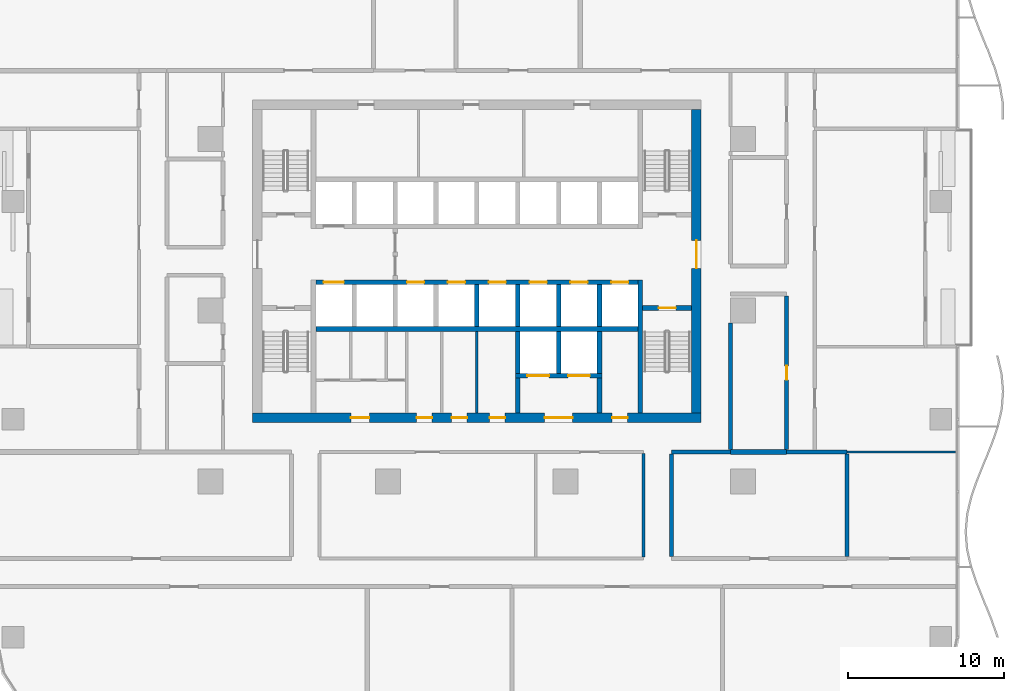
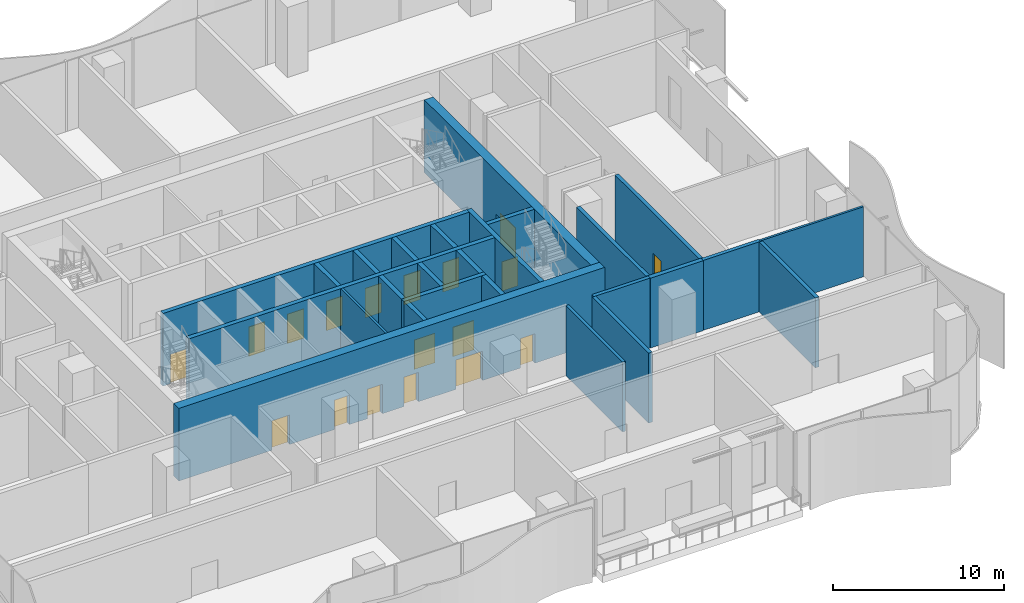
# One storey, part 9 of 21: 26 walls, 18 doors, 18 openings.
"""IFC4 building model written with IfcOpenShell, lengths in metres."""

from ifc_helpers import new_model, si_unit, direction, frame, frame_2d, origin, place, context, subcontext, project, spatial, rectangle, extrude, material, layer, layer_set, type_object, element, fill, save


model = new_model("IFC4")

# Units and contexts
model_context = context("Model", 3, precision=1e-05, world=origin(), true_north=direction((0.0, 1.0)))
body_context = subcontext(model_context, "Body", "Model", "MODEL_VIEW")
ifc_project = project(units=[si_unit("LENGTHUNIT", "METRE"), si_unit("AREAUNIT", "SQUARE_METRE"), si_unit("VOLUMEUNIT", "CUBIC_METRE"), si_unit("PLANEANGLEUNIT", "RADIAN"), si_unit("MASSUNIT", "GRAM", prefix="KILO")], contexts=[model_context])

# Site, building, storey
site_placement = place(None, origin())
site = spatial("IfcSite", under=ifc_project, at=site_placement, CompositionType="ELEMENT")
building_placement = place(site_placement, origin())
building = spatial("IfcBuilding", under=site, at=building_placement, Name="Mopane Tessera Tower", CompositionType="ELEMENT")
storey_placement = place(building_placement, frame((0.0, 0.0, 20.0)))
storey = spatial("IfcBuildingStorey", under=building, at=storey_placement, Name="L03", CompositionType="ELEMENT", Elevation=20.0)

# Wall
ifc_material_1 = material(Name="Fire-rated gypsum board partition")
ifc_layer_1 = layer(ifc_material_1, 0.14990234375)
ifc_layer_set_1 = layer_set([ifc_layer_1], Name="Fire-rated gypsum board partition")
wall_type_1 = type_object("IfcWallType", Name="Core room partition 150 mm", PredefinedType="PARTITIONING", material=ifc_layer_set_1)
wall_1_placement = place(storey_placement, frame((0.0, -6.60009765625, 0.0), z_axis=(0.0, 0.0, 1.0), x_axis=(0.0, 1.0, 0.0)))
element("IfcWall", 1, at=wall_1_placement, inside=storey, type_object=wall_type_1, Name="L03 Room partition", PredefinedType="PARTITIONING", context=body_context, shape_type="SweptSolid", body=[
    extrude(rectangle(XDim=5.25, YDim=0.14990234375, at=frame_2d((2.625, 0.0))), origin(), (0.0, 0.0, 1.0), 5.199951171875),
])

# Wall, openings, doors
ifc_material_2 = material(Name="Concrete C70/85", Category="concrete")
ifc_layer_2 = layer(ifc_material_2, 0.60009765625)
ifc_layer_set_2 = layer_set([ifc_layer_2], Name="Concrete C70/85")
wall_type_2 = type_object("IfcWallType", Name="Core shear wall 600 mm", PredefinedType="SHEAR", material=ifc_layer_set_2)
wall_2_placement = place(storey_placement, frame((-14.39990234375, -6.89990234375, 0.0), z_axis=(0.0, 0.0, 1.0), x_axis=(1.0, 0.0, 0.0)))
wall_2 = element("IfcWall", 2, at=wall_2_placement, inside=storey, type_object=wall_type_2, Name="L03 Core wall south", PredefinedType="SHEAR", context=body_context, shape_type="SweptSolid", body=[
    extrude(rectangle(XDim=28.7998046875, YDim=0.60009765625, at=frame_2d((14.39990234375, 0.0))), origin(), (0.0, 0.0, 1.0), 5.199951171875),
])
opening_1_placement = place(wall_2_placement, frame((6.300048828125, 0.0, 0.0)))
opening_1 = element("IfcOpeningElement", 3, at=opening_1_placement, cuts=wall_2, Name="Opening WD3", PredefinedType="OPENING", context=body_context, shape_type="SweptSolid", body=[
    extrude(rectangle(XDim=1.199951171875, YDim=2.10009765625, at=frame_2d((0.60009765625, 1.050048828125))), frame((0.0, 0.31201171875, 0.0), z_axis=(0.0, -1.0, 0.0), x_axis=(1.0, 0.0, 0.0)), (0.0, 0.0, 1.0), 0.6240234375),
])
opening_2_placement = place(wall_2_placement, frame((10.52490234375, 0.0, 0.0)))
opening_2 = element("IfcOpeningElement", 4, at=opening_2_placement, cuts=wall_2, Name="Opening RD1", PredefinedType="OPENING", context=body_context, shape_type="SweptSolid", body=[
    extrude(rectangle(XDim=1.0, YDim=2.10009765625, at=frame_2d((0.5, 1.050048828125))), frame((0.0, 0.31201171875, 0.0), z_axis=(0.0, -1.0, 0.0), x_axis=(1.0, 0.0, 0.0)), (0.0, 0.0, 1.0), 0.6240234375),
])
opening_3_placement = place(wall_2_placement, frame((12.77490234375, 0.0, 0.0)))
opening_3 = element("IfcOpeningElement", 5, at=opening_3_placement, cuts=wall_2, Name="Opening RD1", PredefinedType="OPENING", context=body_context, shape_type="SweptSolid", body=[
    extrude(rectangle(XDim=1.0, YDim=2.10009765625, at=frame_2d((0.5, 1.050048828125))), frame((0.0, 0.31201171875, 0.0), z_axis=(0.0, -1.0, 0.0), x_axis=(1.0, 0.0, 0.0)), (0.0, 0.0, 1.0), 0.6240234375),
])
opening_4_placement = place(wall_2_placement, frame((15.21240234375, 0.0, 0.0)))
opening_4 = element("IfcOpeningElement", 6, at=opening_4_placement, cuts=wall_2, Name="Opening RD1", PredefinedType="OPENING", context=body_context, shape_type="SweptSolid", body=[
    extrude(rectangle(XDim=1.0, YDim=2.10009765625, at=frame_2d((0.5, 1.050048828125))), frame((0.0, 0.31201171875, 0.0), z_axis=(0.0, -1.0, 0.0), x_axis=(1.0, 0.0, 0.0)), (0.0, 0.0, 1.0), 0.6240234375),
])
opening_5_placement = place(wall_2_placement, frame((18.75, 0.0, 0.0)))
opening_5 = element("IfcOpeningElement", 7, at=opening_5_placement, cuts=wall_2, Name="Opening SD2", PredefinedType="OPENING", context=body_context, shape_type="SweptSolid", body=[
    extrude(rectangle(XDim=1.800048828125, YDim=2.10009765625, at=frame_2d((0.89990234375, 1.050048828125))), frame((0.0, 0.31201171875, 0.0), z_axis=(0.0, -1.0, 0.0), x_axis=(1.0, 0.0, 0.0)), (0.0, 0.0, 1.0), 0.6240234375),
])
opening_6_placement = place(wall_2_placement, frame((23.08740234375, 0.0, 0.0)))
opening_6 = element("IfcOpeningElement", 8, at=opening_6_placement, cuts=wall_2, Name="Opening RD1", PredefinedType="OPENING", context=body_context, shape_type="SweptSolid", body=[
    extrude(rectangle(XDim=1.0, YDim=2.10009765625, at=frame_2d((0.5, 1.050048828125))), frame((0.0, 0.31201171875, 0.0), z_axis=(0.0, -1.0, 0.0), x_axis=(1.0, 0.0, 0.0)), (0.0, 0.0, 1.0), 0.6240234375),
])
ifc_material_3 = material(Name="Steel fire door", Category="steel")
door_type_1 = type_object("IfcDoorType", Name="Core entrance double door 1800 x 2100", OperationType="DOUBLE_DOOR_SINGLE_SWING", PredefinedType="DOOR", material=ifc_material_3)
door_1_placement = place(opening_5_placement, origin())
door_1 = element("IfcDoor", 9, at=door_1_placement, inside=storey, type_object=door_type_1, Name="L03 Service lobby door", OperationType="DOUBLE_DOOR_SINGLE_SWING", OverallHeight=2.10009765625, OverallWidth=1.800048828125, PredefinedType="DOOR", context=body_context, shape_type="SweptSolid", body=[
    extrude(rectangle(XDim=1.800048828125, YDim=2.10009765625, at=frame_2d((0.89990234375, 1.050048828125))), frame((0.0, 0.02490234375, 0.0), z_axis=(0.0, -1.0, 0.0), x_axis=(1.0, 0.0, 0.0)), (0.0, 0.0, 1.0), 0.050048828125),
])
fill(opening_5, door_1)
ifc_material_4 = material(Name="Timber door", Category="wood")
door_type_2 = type_object("IfcDoorType", Name="Core room door 1000 x 2100", OperationType="SINGLE_SWING_LEFT", PredefinedType="DOOR", material=ifc_material_4)
door_2_placement = place(opening_2_placement, origin())
door_2 = element("IfcDoor", 10, at=door_2_placement, inside=storey, type_object=door_type_2, Name="L03 Room door", OperationType="SINGLE_SWING_LEFT", OverallHeight=2.10009765625, OverallWidth=1.0, PredefinedType="DOOR", context=body_context, shape_type="SweptSolid", body=[
    extrude(rectangle(XDim=1.0, YDim=2.10009765625, at=frame_2d((0.5, 1.050048828125))), frame((0.0, 0.02490234375, 0.0), z_axis=(0.0, -1.0, 0.0), x_axis=(1.0, 0.0, 0.0)), (0.0, 0.0, 1.0), 0.050048828125),
])
fill(opening_2, door_2)
door_3_placement = place(opening_3_placement, origin())
door_3 = element("IfcDoor", 11, at=door_3_placement, inside=storey, type_object=door_type_2, Name="L03 Room door", OperationType="SINGLE_SWING_LEFT", OverallHeight=2.10009765625, OverallWidth=1.0, PredefinedType="DOOR", context=body_context, shape_type="SweptSolid", body=[
    extrude(rectangle(XDim=1.0, YDim=2.10009765625, at=frame_2d((0.5, 1.050048828125))), frame((0.0, 0.02490234375, 0.0), z_axis=(0.0, -1.0, 0.0), x_axis=(1.0, 0.0, 0.0)), (0.0, 0.0, 1.0), 0.050048828125),
])
fill(opening_3, door_3)
door_4_placement = place(opening_4_placement, origin())
door_4 = element("IfcDoor", 12, at=door_4_placement, inside=storey, type_object=door_type_2, Name="L03 Room door", OperationType="SINGLE_SWING_LEFT", OverallHeight=2.10009765625, OverallWidth=1.0, PredefinedType="DOOR", context=body_context, shape_type="SweptSolid", body=[
    extrude(rectangle(XDim=1.0, YDim=2.10009765625, at=frame_2d((0.5, 1.050048828125))), frame((0.0, 0.02490234375, 0.0), z_axis=(0.0, -1.0, 0.0), x_axis=(1.0, 0.0, 0.0)), (0.0, 0.0, 1.0), 0.050048828125),
])
fill(opening_4, door_4)
door_5_placement = place(opening_6_placement, origin())
door_5 = element("IfcDoor", 13, at=door_5_placement, inside=storey, type_object=door_type_2, Name="L03 Room door", OperationType="SINGLE_SWING_LEFT", OverallHeight=2.10009765625, OverallWidth=1.0, PredefinedType="DOOR", context=body_context, shape_type="SweptSolid", body=[
    extrude(rectangle(XDim=1.0, YDim=2.10009765625, at=frame_2d((0.5, 1.050048828125))), frame((0.0, 0.02490234375, 0.0), z_axis=(0.0, -1.0, 0.0), x_axis=(1.0, 0.0, 0.0)), (0.0, 0.0, 1.0), 0.050048828125),
])
fill(opening_6, door_5)
ifc_material_5 = material(Name="Timber door", Category="wood")
door_type_3 = type_object("IfcDoorType", Name="WC lobby door 1200 x 2100", OperationType="SINGLE_SWING_LEFT", PredefinedType="DOOR", material=ifc_material_5)
door_6_placement = place(opening_1_placement, origin())
door_6 = element("IfcDoor", 14, at=door_6_placement, inside=storey, type_object=door_type_3, Name="L03 WC lobby door", OperationType="SINGLE_SWING_LEFT", OverallHeight=2.10009765625, OverallWidth=1.199951171875, PredefinedType="DOOR", context=body_context, shape_type="SweptSolid", body=[
    extrude(rectangle(XDim=1.199951171875, YDim=2.10009765625, at=frame_2d((0.60009765625, 1.050048828125))), frame((0.0, 0.02490234375, 0.0), z_axis=(0.0, -1.0, 0.0), x_axis=(1.0, 0.0, 0.0)), (0.0, 0.0, 1.0), 0.050048828125),
])
fill(opening_1, door_6)

# Wall, opening, door
wall_3_placement = place(storey_placement, frame((14.10009765625, -6.60009765625, 0.0), z_axis=(0.0, 0.0, 1.0), x_axis=(0.0, 1.0, 0.0)))
wall_3 = element("IfcWall", 15, at=wall_3_placement, inside=storey, type_object=wall_type_2, Name="L03 Core wall east", PredefinedType="SHEAR", context=body_context, shape_type="SweptSolid", body=[
    extrude(rectangle(XDim=19.5, YDim=0.60009765625, at=frame_2d((9.75, 0.0))), origin(), (0.0, 0.0, 1.0), 5.199951171875),
])
opening_7_placement = place(wall_3_placement, frame((9.300048828125, 0.0, 0.0)))
opening_7 = element("IfcOpeningElement", 16, at=opening_7_placement, cuts=wall_3, Name="Opening SD2", PredefinedType="OPENING", context=body_context, shape_type="SweptSolid", body=[
    extrude(rectangle(XDim=1.800048828125, YDim=2.10009765625, at=frame_2d((0.89990234375, 1.050048828125))), frame((0.0, 0.31201171875, 0.0), z_axis=(0.0, -1.0, 0.0), x_axis=(1.0, 0.0, 0.0)), (0.0, 0.0, 1.0), 0.6240234375),
])
door_7_placement = place(opening_7_placement, origin())
door_7 = element("IfcDoor", 17, at=door_7_placement, inside=storey, type_object=door_type_1, Name="L03 Core entrance door east", OperationType="DOUBLE_DOOR_SINGLE_SWING", OverallHeight=2.10009765625, OverallWidth=1.800048828125, PredefinedType="DOOR", context=body_context, shape_type="SweptSolid", body=[
    extrude(rectangle(XDim=1.800048828125, YDim=2.10009765625, at=frame_2d((0.89990234375, 1.050048828125))), frame((0.0, 0.02490234375, 0.0), z_axis=(0.0, -1.0, 0.0), x_axis=(1.0, 0.0, 0.0)), (0.0, 0.0, 1.0), 0.050048828125),
])
fill(opening_7, door_7)

# Walls
ifc_material_6 = material(Name="Concrete C60/75", Category="concrete")
ifc_layer_3 = layer(ifc_material_6, 0.300048828125)
ifc_layer_set_3 = layer_set([ifc_layer_3], Name="Concrete C60/75")
wall_type_3 = type_object("IfcWallType", Name="Core spine wall 300 mm", PredefinedType="SHEAR", material=ifc_layer_set_3)
wall_4_placement = place(storey_placement, frame((10.5, -6.60009765625, 0.0), z_axis=(0.0, 0.0, 1.0), x_axis=(0.0, 1.0, 0.0)))
element("IfcWall", 18, at=wall_4_placement, inside=storey, type_object=wall_type_3, Name="L03 Core spine wall", PredefinedType="SHEAR", context=body_context, shape_type="SweptSolid", body=[
    extrude(rectangle(XDim=8.550048828125, YDim=0.300048828125, at=frame_2d((4.27490234375, 0.0))), origin(), (0.0, 0.0, 1.0), 5.199951171875),
])
ifc_material_7 = material(Name="Gypsum board on steel studs, two layers each face, mineral wool infill", Category="steel")
ifc_layer_4 = layer(ifc_material_7, 0.199951171875)
ifc_layer_set_4 = layer_set([ifc_layer_4], Name="Gypsum board on steel studs, two layers each face, mineral wool infill")
wall_type_4 = type_object("IfcWallType", Name="Gypsum board corridor wall 200, rated EI 60", PredefinedType="PARTITIONING", material=ifc_layer_set_4)
wall_5_placement = place(storey_placement, frame((10.7099609375, -15.85009765625, 0.0), z_axis=(0.0, 0.0, 1.0), x_axis=(0.0, 1.0, 0.0)))
element("IfcWall", 19, at=wall_5_placement, inside=storey, type_object=wall_type_4, Name="Partition L03:052", PredefinedType="PARTITIONING", context=body_context, shape_type="SweptSolid", body=[
    extrude(rectangle(XDim=6.650146484375, YDim=0.199951171875, at=frame_2d((3.3251953125, 0.0))), origin(), (0.0, 0.0, 1.0), 5.0),
])
ifc_material_8 = material(Name="Gypsum board on steel studs, mineral wool infill", Category="steel")
ifc_layer_5 = layer(ifc_material_8, 0.14990234375)
ifc_layer_set_5 = layer_set([ifc_layer_5], Name="Gypsum board on steel studs, mineral wool infill")
wall_type_5 = type_object("IfcWallType", Name="Gypsum board partition 150, rated EI 60", PredefinedType="PARTITIONING", material=ifc_layer_set_5)
wall_6_placement = place(storey_placement, frame((23.784912109375, -9.10009765625, 0.0), z_axis=(0.0, 0.0, 1.0), x_axis=(1.0, 0.0, 0.0)))
element("IfcWall", 20, at=wall_6_placement, inside=storey, type_object=wall_type_5, Name="Partition L03:007", PredefinedType="PARTITIONING", context=body_context, shape_type="SweptSolid", body=[
    extrude(rectangle(XDim=6.965087890625, YDim=0.14990234375, at=frame_2d((3.482421875, 0.0))), origin(), (0.0, 0.0, 1.0), 5.0),
])

# Wall, opening, door
ifc_material_9 = material(Name="Concrete C50/60", Category="concrete")
ifc_layer_6 = layer(ifc_material_9, 0.300048828125)
ifc_layer_set_6 = layer_set([ifc_layer_6], Name="Concrete C50/60")
wall_type_6 = type_object("IfcWallType", Name="Lift and stair shaft wall 300 mm", PredefinedType="SOLIDWALL", material=ifc_layer_set_6)
wall_7_placement = place(storey_placement, frame((10.64990234375, 0.14990234375, 0.0), z_axis=(0.0, 0.0, 1.0), x_axis=(1.0, 0.0, 0.0)))
wall_7 = element("IfcWall", 21, at=wall_7_placement, inside=storey, type_object=wall_type_6, Name="L03 Stair enclosure wall", PredefinedType="SOLIDWALL", context=body_context, shape_type="SweptSolid", body=[
    extrude(rectangle(XDim=3.150146484375, YDim=0.300048828125, at=frame_2d((1.5751953125, 0.0))), origin(), (0.0, 0.0, 1.0), 5.199951171875),
])
opening_8_placement = place(wall_7_placement, frame((1.02490234375, 0.0, 0.0)))
opening_8 = element("IfcOpeningElement", 22, at=opening_8_placement, cuts=wall_7, Name="Opening SD1", PredefinedType="OPENING", context=body_context, shape_type="SweptSolid", body=[
    extrude(rectangle(XDim=1.10009765625, YDim=2.10009765625, at=frame_2d((0.550048828125, 1.050048828125))), frame((0.0, 0.162109375, 0.0), z_axis=(0.0, -1.0, 0.0), x_axis=(1.0, 0.0, 0.0)), (0.0, 0.0, 1.0), 0.323974609375),
])
ifc_material_10 = material(Name="Steel fire door", Category="steel")
door_type_4 = type_object("IfcDoorType", Name="Stair fire door 1100 x 2100", OperationType="SINGLE_SWING_LEFT", PredefinedType="DOOR", material=ifc_material_10)
door_8_placement = place(opening_8_placement, origin())
door_8 = element("IfcDoor", 23, at=door_8_placement, inside=storey, type_object=door_type_4, Name="L03 Stair door ST3", OperationType="SINGLE_SWING_RIGHT", OverallHeight=2.10009765625, OverallWidth=1.10009765625, PredefinedType="DOOR", context=body_context, shape_type="SweptSolid", body=[
    extrude(rectangle(XDim=1.10009765625, YDim=2.10009765625, at=frame_2d((0.550048828125, 1.050048828125))), frame((0.0, 0.02490234375, 0.0), z_axis=(0.0, -1.0, 0.0), x_axis=(1.0, 0.0, 0.0)), (0.0, 0.0, 1.0), 0.050048828125),
])
fill(opening_8, door_8)

# Wall
wall_8_placement = place(storey_placement, frame((-10.35009765625, -1.199951171875, 0.0), z_axis=(0.0, 0.0, 1.0), x_axis=(1.0, 0.0, 0.0)))
element("IfcWall", 24, at=wall_8_placement, inside=storey, type_object=wall_type_6, Name="L03 Lift shaft rear wall", PredefinedType="SOLIDWALL", context=body_context, shape_type="SweptSolid", body=[
    extrude(rectangle(XDim=20.7001953125, YDim=0.300048828125, at=frame_2d((10.35009765625, 0.0))), origin(), (0.0, 0.0, 1.0), 5.199951171875),
])

# Wall, openings, doors
wall_9_placement = place(storey_placement, frame((-10.35009765625, 1.800048828125, 0.0), z_axis=(0.0, 0.0, 1.0), x_axis=(1.0, 0.0, 0.0)))
wall_9 = element("IfcWall", 25, at=wall_9_placement, inside=storey, type_object=wall_type_6, Name="L03 Lift shaft front wall", PredefinedType="SOLIDWALL", context=body_context, shape_type="SweptSolid", body=[
    extrude(rectangle(XDim=20.7001953125, YDim=0.300048828125, at=frame_2d((10.35009765625, 0.0))), origin(), (0.0, 0.0, 1.0), 5.199951171875),
])
opening_9_placement = place(wall_9_placement, frame((0.512451171875, 0.0, 0.0)))
opening_9 = element("IfcOpeningElement", 26, at=opening_9_placement, cuts=wall_9, Name="Opening LD2", PredefinedType="OPENING", context=body_context, shape_type="SweptSolid", body=[
    extrude(rectangle(XDim=1.300048828125, YDim=2.10009765625, at=frame_2d((0.64990234375, 1.050048828125))), frame((0.0, 0.162109375, 0.0), z_axis=(0.0, -1.0, 0.0), x_axis=(1.0, 0.0, 0.0)), (0.0, 0.0, 1.0), 0.323974609375),
])
opening_10_placement = place(wall_9_placement, frame((5.862548828125, 0.0, 0.0)))
opening_10 = element("IfcOpeningElement", 27, at=opening_10_placement, cuts=wall_9, Name="Opening LD", PredefinedType="OPENING", context=body_context, shape_type="SweptSolid", body=[
    extrude(rectangle(XDim=1.10009765625, YDim=2.10009765625, at=frame_2d((0.550048828125, 1.050048828125))), frame((0.0, 0.162109375, 0.0), z_axis=(0.0, -1.0, 0.0), x_axis=(1.0, 0.0, 0.0)), (0.0, 0.0, 1.0), 0.323974609375),
])
opening_11_placement = place(wall_9_placement, frame((8.487548828125, 0.0, 0.0)))
opening_11 = element("IfcOpeningElement", 28, at=opening_11_placement, cuts=wall_9, Name="Opening LD", PredefinedType="OPENING", context=body_context, shape_type="SweptSolid", body=[
    extrude(rectangle(XDim=1.10009765625, YDim=2.10009765625, at=frame_2d((0.550048828125, 1.050048828125))), frame((0.0, 0.162109375, 0.0), z_axis=(0.0, -1.0, 0.0), x_axis=(1.0, 0.0, 0.0)), (0.0, 0.0, 1.0), 0.323974609375),
])
opening_12_placement = place(wall_9_placement, frame((11.112548828125, 0.0, 0.0)))
opening_12 = element("IfcOpeningElement", 29, at=opening_12_placement, cuts=wall_9, Name="Opening LD", PredefinedType="OPENING", context=body_context, shape_type="SweptSolid", body=[
    extrude(rectangle(XDim=1.10009765625, YDim=2.10009765625, at=frame_2d((0.550048828125, 1.050048828125))), frame((0.0, 0.162109375, 0.0), z_axis=(0.0, -1.0, 0.0), x_axis=(1.0, 0.0, 0.0)), (0.0, 0.0, 1.0), 0.323974609375),
])
opening_13_placement = place(wall_9_placement, frame((13.737548828125, 0.0, 0.0)))
opening_13 = element("IfcOpeningElement", 30, at=opening_13_placement, cuts=wall_9, Name="Opening LD", PredefinedType="OPENING", context=body_context, shape_type="SweptSolid", body=[
    extrude(rectangle(XDim=1.10009765625, YDim=2.10009765625, at=frame_2d((0.550048828125, 1.050048828125))), frame((0.0, 0.162109375, 0.0), z_axis=(0.0, -1.0, 0.0), x_axis=(1.0, 0.0, 0.0)), (0.0, 0.0, 1.0), 0.323974609375),
])
opening_14_placement = place(wall_9_placement, frame((16.362548828125, 0.0, 0.0)))
opening_14 = element("IfcOpeningElement", 31, at=opening_14_placement, cuts=wall_9, Name="Opening LD", PredefinedType="OPENING", context=body_context, shape_type="SweptSolid", body=[
    extrude(rectangle(XDim=1.10009765625, YDim=2.10009765625, at=frame_2d((0.550048828125, 1.050048828125))), frame((0.0, 0.162109375, 0.0), z_axis=(0.0, -1.0, 0.0), x_axis=(1.0, 0.0, 0.0)), (0.0, 0.0, 1.0), 0.323974609375),
])
opening_15_placement = place(wall_9_placement, frame((18.987548828125, 0.0, 0.0)))
opening_15 = element("IfcOpeningElement", 32, at=opening_15_placement, cuts=wall_9, Name="Opening LD", PredefinedType="OPENING", context=body_context, shape_type="SweptSolid", body=[
    extrude(rectangle(XDim=1.10009765625, YDim=2.10009765625, at=frame_2d((0.550048828125, 1.050048828125))), frame((0.0, 0.162109375, 0.0), z_axis=(0.0, -1.0, 0.0), x_axis=(1.0, 0.0, 0.0)), (0.0, 0.0, 1.0), 0.323974609375),
])
ifc_material_11 = material(Name="Stainless steel sliding door", Category="steel")
door_type_5 = type_object("IfcDoorType", Name="Fire-fighting lift landing door 1300 x 2100", OperationType="DOUBLE_DOOR_SLIDING", PredefinedType="DOOR", material=ifc_material_11)
door_9_placement = place(opening_9_placement, origin())
door_9 = element("IfcDoor", 33, at=door_9_placement, inside=storey, type_object=door_type_5, Name="L03 Lift landing door FF1", OperationType="DOUBLE_DOOR_SLIDING", OverallHeight=2.10009765625, OverallWidth=1.300048828125, PredefinedType="DOOR", context=body_context, shape_type="SweptSolid", body=[
    extrude(rectangle(XDim=1.300048828125, YDim=2.10009765625, at=frame_2d((0.64990234375, 1.050048828125))), frame((0.0, 0.02490234375, 0.0), z_axis=(0.0, -1.0, 0.0), x_axis=(1.0, 0.0, 0.0)), (0.0, 0.0, 1.0), 0.050048828125),
])
fill(opening_9, door_9)
ifc_material_12 = material(Name="Stainless steel sliding door", Category="steel")
door_type_6 = type_object("IfcDoorType", Name="Lift landing door 1100 x 2100", OperationType="DOUBLE_DOOR_SLIDING", PredefinedType="DOOR", material=ifc_material_12)
door_10_placement = place(opening_10_placement, origin())
door_10 = element("IfcDoor", 34, at=door_10_placement, inside=storey, type_object=door_type_6, Name="L03 Lift landing door LR1", OperationType="DOUBLE_DOOR_SLIDING", OverallHeight=2.10009765625, OverallWidth=1.10009765625, PredefinedType="DOOR", context=body_context, shape_type="SweptSolid", body=[
    extrude(rectangle(XDim=1.10009765625, YDim=2.10009765625, at=frame_2d((0.550048828125, 1.050048828125))), frame((0.0, 0.02490234375, 0.0), z_axis=(0.0, -1.0, 0.0), x_axis=(1.0, 0.0, 0.0)), (0.0, 0.0, 1.0), 0.050048828125),
])
fill(opening_10, door_10)
door_11_placement = place(opening_11_placement, origin())
door_11 = element("IfcDoor", 35, at=door_11_placement, inside=storey, type_object=door_type_6, Name="L03 Lift landing door LR2", OperationType="DOUBLE_DOOR_SLIDING", OverallHeight=2.10009765625, OverallWidth=1.10009765625, PredefinedType="DOOR", context=body_context, shape_type="SweptSolid", body=[
    extrude(rectangle(XDim=1.10009765625, YDim=2.10009765625, at=frame_2d((0.550048828125, 1.050048828125))), frame((0.0, 0.02490234375, 0.0), z_axis=(0.0, -1.0, 0.0), x_axis=(1.0, 0.0, 0.0)), (0.0, 0.0, 1.0), 0.050048828125),
])
fill(opening_11, door_11)
door_12_placement = place(opening_12_placement, origin())
door_12 = element("IfcDoor", 36, at=door_12_placement, inside=storey, type_object=door_type_6, Name="L03 Lift landing door LR3", OperationType="DOUBLE_DOOR_SLIDING", OverallHeight=2.10009765625, OverallWidth=1.10009765625, PredefinedType="DOOR", context=body_context, shape_type="SweptSolid", body=[
    extrude(rectangle(XDim=1.10009765625, YDim=2.10009765625, at=frame_2d((0.550048828125, 1.050048828125))), frame((0.0, 0.02490234375, 0.0), z_axis=(0.0, -1.0, 0.0), x_axis=(1.0, 0.0, 0.0)), (0.0, 0.0, 1.0), 0.050048828125),
])
fill(opening_12, door_12)
door_13_placement = place(opening_13_placement, origin())
door_13 = element("IfcDoor", 37, at=door_13_placement, inside=storey, type_object=door_type_6, Name="L03 Lift landing door LR4", OperationType="DOUBLE_DOOR_SLIDING", OverallHeight=2.10009765625, OverallWidth=1.10009765625, PredefinedType="DOOR", context=body_context, shape_type="SweptSolid", body=[
    extrude(rectangle(XDim=1.10009765625, YDim=2.10009765625, at=frame_2d((0.550048828125, 1.050048828125))), frame((0.0, 0.02490234375, 0.0), z_axis=(0.0, -1.0, 0.0), x_axis=(1.0, 0.0, 0.0)), (0.0, 0.0, 1.0), 0.050048828125),
])
fill(opening_13, door_13)
door_14_placement = place(opening_14_placement, origin())
door_14 = element("IfcDoor", 38, at=door_14_placement, inside=storey, type_object=door_type_6, Name="L03 Lift landing door LR5", OperationType="DOUBLE_DOOR_SLIDING", OverallHeight=2.10009765625, OverallWidth=1.10009765625, PredefinedType="DOOR", context=body_context, shape_type="SweptSolid", body=[
    extrude(rectangle(XDim=1.10009765625, YDim=2.10009765625, at=frame_2d((0.550048828125, 1.050048828125))), frame((0.0, 0.02490234375, 0.0), z_axis=(0.0, -1.0, 0.0), x_axis=(1.0, 0.0, 0.0)), (0.0, 0.0, 1.0), 0.050048828125),
])
fill(opening_14, door_14)
door_15_placement = place(opening_15_placement, origin())
door_15 = element("IfcDoor", 39, at=door_15_placement, inside=storey, type_object=door_type_6, Name="L03 Lift landing door LR6", OperationType="DOUBLE_DOOR_SLIDING", OverallHeight=2.10009765625, OverallWidth=1.10009765625, PredefinedType="DOOR", context=body_context, shape_type="SweptSolid", body=[
    extrude(rectangle(XDim=1.10009765625, YDim=2.10009765625, at=frame_2d((0.550048828125, 1.050048828125))), frame((0.0, 0.02490234375, 0.0), z_axis=(0.0, -1.0, 0.0), x_axis=(1.0, 0.0, 0.0)), (0.0, 0.0, 1.0), 0.050048828125),
])
fill(opening_15, door_15)

# Walls
for number, where, z_axis, x_axis, name in (
    (40, (0.0, -1.050048828125, 0.0), (0.0, 0.0, 1.0), (0.0, 1.0, 0.0), "L03 Lift shaft wall"),
    (41, (2.625, -1.050048828125, 0.0), (0.0, 0.0, 1.0), (0.0, 1.0, 0.0), "L03 Lift shaft wall"),
    (42, (5.25, -1.050048828125, 0.0), (0.0, 0.0, 1.0), (0.0, 1.0, 0.0), "L03 Lift shaft wall"),
    (43, (7.875, -1.050048828125, 0.0), (0.0, 0.0, 1.0), (0.0, 1.0, 0.0), "L03 Lift shaft wall"),
):
    element("IfcWall", number, at=place(storey_placement, frame(where, z_axis=z_axis, x_axis=x_axis)), inside=storey, type_object=wall_type_6, Name=name, PredefinedType="SOLIDWALL", context=body_context, shape_type="SweptSolid", body=[
        extrude(rectangle(XDim=2.699951171875, YDim=0.300048828125, at=frame_2d((1.35009765625, 0.0))), origin(), (0.0, 0.0, 1.0), 5.199951171875),
    ])

# Wall, openings, doors
wall_10_placement = place(storey_placement, frame((2.47509765625, -4.199951171875, 0.0), z_axis=(0.0, 0.0, 1.0), x_axis=(1.0, 0.0, 0.0)))
wall_10 = element("IfcWall", 44, at=wall_10_placement, inside=storey, type_object=wall_type_6, Name="L03 Lift shaft front wall", PredefinedType="SOLIDWALL", context=body_context, shape_type="SweptSolid", body=[
    extrude(rectangle(XDim=5.5498046875, YDim=0.300048828125, at=frame_2d((2.77490234375, 0.0))), origin(), (0.0, 0.0, 1.0), 5.199951171875),
])
opening_16_placement = place(wall_10_placement, frame((0.762451171875, 0.0, 0.0)))
opening_16 = element("IfcOpeningElement", 45, at=opening_16_placement, cuts=wall_10, Name="Opening LD3", PredefinedType="OPENING", context=body_context, shape_type="SweptSolid", body=[
    extrude(rectangle(XDim=1.39990234375, YDim=2.10009765625, at=frame_2d((0.699951171875, 1.050048828125))), frame((0.0, 0.162109375, 0.0), z_axis=(0.0, -1.0, 0.0), x_axis=(1.0, 0.0, 0.0)), (0.0, 0.0, 1.0), 0.323974609375),
])
opening_17_placement = place(wall_10_placement, frame((3.387451171875, 0.0, 0.0)))
opening_17 = element("IfcOpeningElement", 46, at=opening_17_placement, cuts=wall_10, Name="Opening LD3", PredefinedType="OPENING", context=body_context, shape_type="SweptSolid", body=[
    extrude(rectangle(XDim=1.39990234375, YDim=2.10009765625, at=frame_2d((0.699951171875, 1.050048828125))), frame((0.0, 0.162109375, 0.0), z_axis=(0.0, -1.0, 0.0), x_axis=(1.0, 0.0, 0.0)), (0.0, 0.0, 1.0), 0.323974609375),
])
ifc_material_13 = material(Name="Stainless steel sliding door", Category="steel")
door_type_7 = type_object("IfcDoorType", Name="Service lift landing door 1400 x 2100", OperationType="DOUBLE_DOOR_SLIDING", PredefinedType="DOOR", material=ifc_material_13)
door_16_placement = place(opening_16_placement, origin())
door_16 = element("IfcDoor", 47, at=door_16_placement, inside=storey, type_object=door_type_7, Name="L03 Lift landing door SV1", OperationType="DOUBLE_DOOR_SLIDING", OverallHeight=2.10009765625, OverallWidth=1.39990234375, PredefinedType="DOOR", context=body_context, shape_type="SweptSolid", body=[
    extrude(rectangle(XDim=1.39990234375, YDim=2.10009765625, at=frame_2d((0.699951171875, 1.050048828125))), frame((0.0, 0.02490234375, 0.0), z_axis=(0.0, -1.0, 0.0), x_axis=(1.0, 0.0, 0.0)), (0.0, 0.0, 1.0), 0.050048828125),
])
fill(opening_16, door_16)
door_17_placement = place(opening_17_placement, origin())
door_17 = element("IfcDoor", 48, at=door_17_placement, inside=storey, type_object=door_type_7, Name="L03 Lift landing door SV2", OperationType="DOUBLE_DOOR_SLIDING", OverallHeight=2.10009765625, OverallWidth=1.39990234375, PredefinedType="DOOR", context=body_context, shape_type="SweptSolid", body=[
    extrude(rectangle(XDim=1.39990234375, YDim=2.10009765625, at=frame_2d((0.699951171875, 1.050048828125))), frame((0.0, 0.02490234375, 0.0), z_axis=(0.0, -1.0, 0.0), x_axis=(1.0, 0.0, 0.0)), (0.0, 0.0, 1.0), 0.050048828125),
])
fill(opening_17, door_17)

# Walls
for number, where, z_axis, x_axis, name in (
    (49, (2.625, -4.050048828125, 0.0), (0.0, 0.0, 1.0), (0.0, 1.0, 0.0), "L03 Lift shaft wall"),
    (50, (5.25, -4.050048828125, 0.0), (0.0, 0.0, 1.0), (0.0, 1.0, 0.0), "L03 Lift shaft wall"),
    (51, (7.875, -4.050048828125, 0.0), (0.0, 0.0, 1.0), (0.0, 1.0, 0.0), "L03 Lift shaft wall"),
):
    element("IfcWall", number, at=place(storey_placement, frame(where, z_axis=z_axis, x_axis=x_axis)), inside=storey, type_object=wall_type_6, Name=name, PredefinedType="SOLIDWALL", context=body_context, shape_type="SweptSolid", body=[
        extrude(rectangle(XDim=2.699951171875, YDim=0.300048828125, at=frame_2d((1.35009765625, 0.0))), origin(), (0.0, 0.0, 1.0), 5.199951171875),
    ])
ifc_material_14 = material(Name="Concrete C50/60", Category="concrete")
ifc_layer_7 = layer(ifc_material_14, 0.300048828125)
ifc_layer_set_7 = layer_set([ifc_layer_7], Name="Concrete C50/60")
wall_type_7 = type_object("IfcWallType", Name="Lobby and refuge room wall 300 mm", PredefinedType="SOLIDWALL", material=ifc_layer_set_7)
for number, where, z_axis, x_axis, name in (
    (52, (2.625, -6.60009765625, 0.0), (0.0, 0.0, 1.0), (0.0, 1.0, 0.0), "L03 Service lobby wall"),
    (53, (7.875, -6.60009765625, 0.0), (0.0, 0.0, 1.0), (0.0, 1.0, 0.0), "L03 Service lobby wall"),
):
    element("IfcWall", number, at=place(storey_placement, frame(where, z_axis=z_axis, x_axis=x_axis)), inside=storey, type_object=wall_type_7, Name=name, PredefinedType="SOLIDWALL", context=body_context, shape_type="SweptSolid", body=[
        extrude(rectangle(XDim=2.25, YDim=0.300048828125, at=frame_2d((1.125, 0.0))), origin(), (0.0, 0.0, 1.0), 5.199951171875),
    ])
ifc_material_15 = material(Name="Plastered concrete blockwork C20/25", Category="masonry")
ifc_layer_8 = layer(ifc_material_15, 0.300048828125)
ifc_layer_set_8 = layer_set([ifc_layer_8], Name="Plastered concrete blockwork C20/25")
wall_type_8 = type_object("IfcWallType", Name="Plastered blockwork separation wall 300, rated EI 120", PredefinedType="PARTITIONING", material=ifc_layer_set_8)
wall_11_placement = place(storey_placement, frame((16.300048828125, -9.10009765625, 0.0), z_axis=(0.0, 0.0, 1.0), x_axis=(1.0, 0.0, 0.0)))
element("IfcWall", 54, at=wall_11_placement, inside=storey, type_object=wall_type_8, Name="Partition L03:013", PredefinedType="PARTITIONING", context=body_context, shape_type="SweptSolid", body=[
    extrude(rectangle(XDim=3.599853515625, YDim=0.300048828125, at=frame_2d((1.7998046875, 0.0))), origin(), (0.0, 0.0, 1.0), 5.0),
])
ifc_material_16 = material(Name="Plastered concrete blockwork C20/25", Category="masonry")
ifc_layer_9 = layer(ifc_material_16, 0.25)
ifc_layer_set_9 = layer_set([ifc_layer_9], Name="Plastered concrete blockwork C20/25")
wall_type_9 = type_object("IfcWallType", Name="Plastered blockwork wall 250, rated EI 120", PredefinedType="PARTITIONING", material=ifc_layer_set_9)
wall_12_placement = place(storey_placement, frame((12.510009765625, -9.10009765625, 0.0), z_axis=(0.0, 0.0, 1.0), x_axis=(1.0, 0.0, 0.0)))
element("IfcWall", 55, at=wall_12_placement, inside=storey, type_object=wall_type_9, Name="Partition L03:010", PredefinedType="PARTITIONING", context=body_context, shape_type="SweptSolid", body=[
    extrude(rectangle(XDim=3.7900390625, YDim=0.25, at=frame_2d((1.89501953125, 0.0))), origin(), (0.0, 0.0, 1.0), 5.0),
])
wall_13_placement = place(storey_placement, frame((19.89990234375, -9.10009765625, 0.0), z_axis=(0.0, 0.0, 1.0), x_axis=(1.0, 0.0, 0.0)))
element("IfcWall", 56, at=wall_13_placement, inside=storey, type_object=wall_type_9, Name="Partition L03:011", PredefinedType="PARTITIONING", context=body_context, shape_type="SweptSolid", body=[
    extrude(rectangle(XDim=3.885009765625, YDim=0.25, at=frame_2d((1.9423828125, 0.0))), origin(), (0.0, 0.0, 1.0), 5.0),
])
wall_14_placement = place(storey_placement, frame((12.510009765625, -15.824951171875, 0.0), z_axis=(0.0, 0.0, 1.0), x_axis=(0.0, 1.0, 0.0)))
element("IfcWall", 57, at=wall_14_placement, inside=storey, type_object=wall_type_9, Name="Partition L03:053", PredefinedType="PARTITIONING", context=body_context, shape_type="SweptSolid", body=[
    extrude(rectangle(XDim=6.599853515625, YDim=0.25, at=frame_2d((3.2998046875, 0.0))), origin(), (0.0, 0.0, 1.0), 5.0),
])
wall_15_placement = place(storey_placement, frame((16.300048828125, -8.949951171875, 0.0), z_axis=(0.0, 0.0, 1.0), x_axis=(0.0, 1.0, 0.0)))
element("IfcWall", 58, at=wall_15_placement, inside=storey, type_object=wall_type_9, Name="Partition L03:057", PredefinedType="PARTITIONING", context=body_context, shape_type="SweptSolid", body=[
    extrude(rectangle(XDim=8.14990234375, YDim=0.25, at=frame_2d((4.074951171875, 0.0))), origin(), (0.0, 0.0, 1.0), 5.0),
])

# Wall, opening, door
wall_16_placement = place(storey_placement, frame((19.89990234375, -8.949951171875, 0.0), z_axis=(0.0, 0.0, 1.0), x_axis=(0.0, 1.0, 0.0)))
wall_16 = element("IfcWall", 59, at=wall_16_placement, inside=storey, type_object=wall_type_9, Name="Partition L03:060", PredefinedType="PARTITIONING", context=body_context, shape_type="SweptSolid", body=[
    extrude(rectangle(XDim=9.875, YDim=0.25, at=frame_2d((4.9375, 0.0))), origin(), (0.0, 0.0, 1.0), 5.0),
])
opening_18_placement = place(wall_16_placement, frame((4.487548828125, 0.0, 0.0)))
opening_18 = element("IfcOpeningElement", 60, at=opening_18_placement, cuts=wall_16, Name="Opening L03-12", PredefinedType="OPENING", context=body_context, shape_type="SweptSolid", body=[
    extrude(rectangle(XDim=0.89990234375, YDim=2.10009765625, at=frame_2d((0.449951171875, 1.050048828125))), frame((0.0, 0.136962890625, 0.0), z_axis=(0.0, -1.0, 0.0), x_axis=(1.0, 0.0, 0.0)), (0.0, 0.0, 1.0), 0.27392578125),
])
ifc_material_17 = material(Name="Timber veneered steel-framed fire door", Category="steel")
door_type_8 = type_object("IfcDoorType", Name="Fire door FD120 900 x 2100", OperationType="SINGLE_SWING_LEFT", PredefinedType="DOOR", material=ifc_material_17)
door_18_placement = place(opening_18_placement, origin())
door_18 = element("IfcDoor", 61, at=door_18_placement, inside=storey, type_object=door_type_8, Name="Door L03-12", ObjectType="D10B", OperationType="SINGLE_SWING_RIGHT", OverallHeight=2.10009765625, OverallWidth=0.89990234375, PredefinedType="DOOR", context=body_context, shape_type="SweptSolid", body=[
    extrude(rectangle(XDim=0.89990234375, YDim=2.10009765625, at=frame_2d((0.449951171875, 1.050048828125))), frame((0.0, 0.02490234375, 0.0), z_axis=(0.0, -1.0, 0.0), x_axis=(1.0, 0.0, 0.0)), (0.0, 0.0, 1.0), 0.050048828125),
])
fill(opening_18, door_18)

# Wall
wall_17_placement = place(storey_placement, frame((23.784912109375, -15.824951171875, 0.0), z_axis=(0.0, 0.0, 1.0), x_axis=(0.0, 1.0, 0.0)))
element("IfcWall", 62, at=wall_17_placement, inside=storey, type_object=wall_type_9, Name="Partition L03:064", PredefinedType="PARTITIONING", context=body_context, shape_type="SweptSolid", body=[
    extrude(rectangle(XDim=6.599853515625, YDim=0.25, at=frame_2d((3.2998046875, 0.0))), origin(), (0.0, 0.0, 1.0), 5.0),
])

save(model, "model.ifc")
